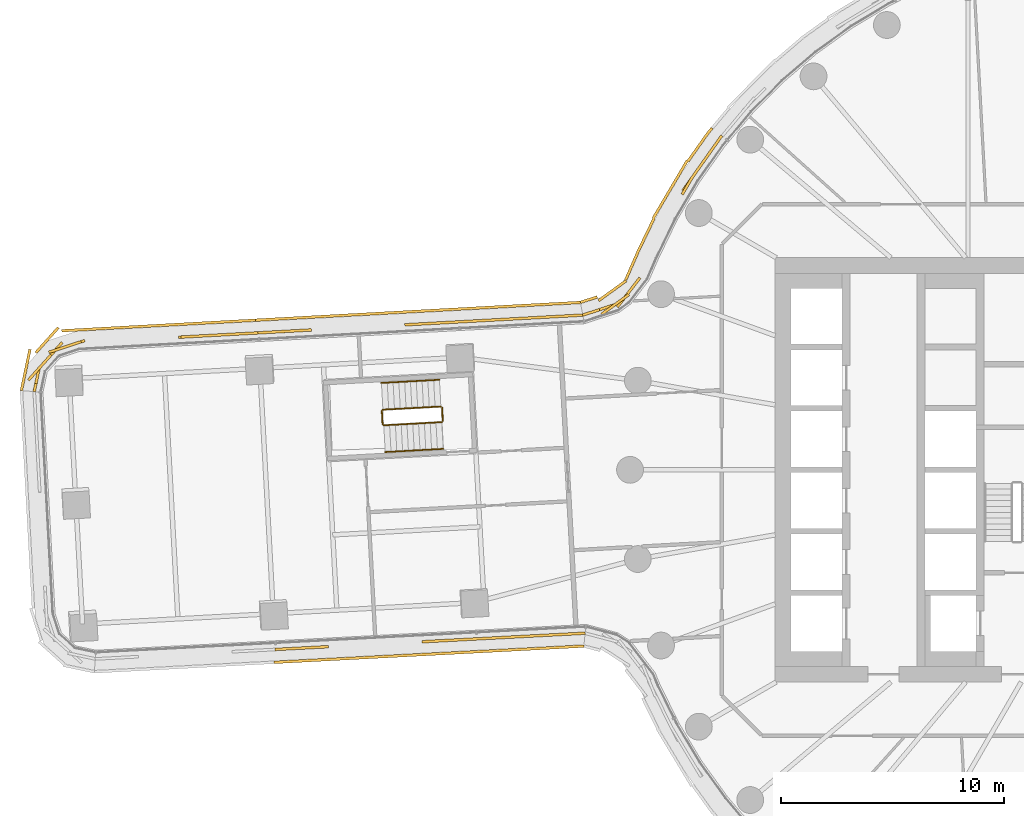
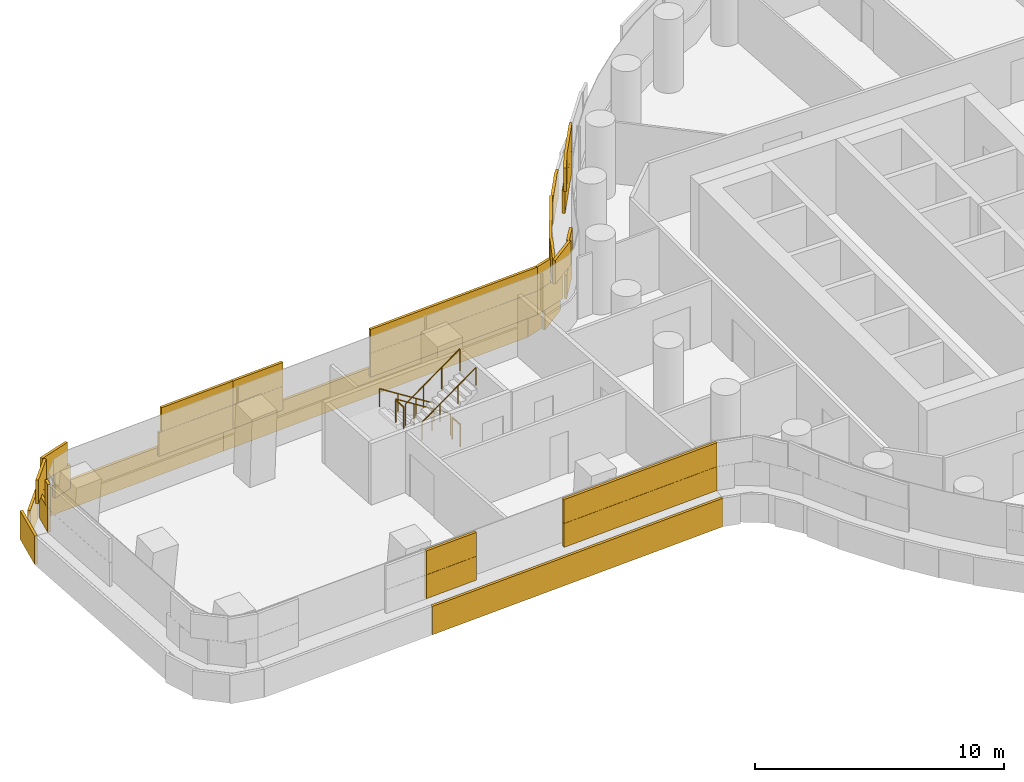
# One storey, part 27 of 31: 6 railings, 4 coverings.
"""IFC4 building model written with IfcOpenShell, lengths in metres."""

from ifc_helpers import new_model, si_unit, direction, frame, origin, origin_2d, place, context, subcontext, project, spatial, rectangle, circle, extrude, material, layer, layer_set, type_object, element, save


model = new_model("IFC4")

# Units and contexts
model_context = context("Model", 3, precision=1e-05, world=origin(), true_north=direction((0.0, 1.0)))
body_context = subcontext(model_context, "Body", "Model", "MODEL_VIEW")
ifc_project = project(units=[si_unit("LENGTHUNIT", "METRE"), si_unit("AREAUNIT", "SQUARE_METRE"), si_unit("VOLUMEUNIT", "CUBIC_METRE"), si_unit("PLANEANGLEUNIT", "RADIAN"), si_unit("MASSUNIT", "GRAM", prefix="KILO")], contexts=[model_context])

# Site, building, storey
site_placement = place(None, origin())
site = spatial("IfcSite", under=ifc_project, at=site_placement, CompositionType="ELEMENT")
building_placement = place(site_placement, origin())
building = spatial("IfcBuilding", under=site, at=building_placement, Name="Tamarind Cross Interchange Tower", CompositionType="ELEMENT")
storey_placement = place(building_placement, frame((0.0, 0.0, 45.25)))
storey = spatial("IfcBuildingStorey", under=building, at=storey_placement, Name="L09", CompositionType="ELEMENT", Elevation=45.25)

# Railings
ifc_material_1 = material(Name="Stair guard")
railing_type_1 = type_object("IfcRailingType", Name="Stair guard", PredefinedType="GUARDRAIL", material=ifc_material_1)
railing_1_placement = place(storey_placement, frame((-31.46923828125, 2.83642578125, 0.17041015625)))
element("IfcRailing", 1, at=railing_1_placement, inside=storey, type_object=railing_type_1, Name="L09 ST5 stair guard 1", PredefinedType="GUARDRAIL", context=body_context, shape_type="SweptSolid", body=[
    extrude(circle(Radius=0.02392578125, at=origin_2d()), frame((0.0, 0.0, 1.076171875), z_axis=(-0.83505048246, -0.045702405566, 0.548271813855), x_axis=(0.054648325775, -0.998505663725, 0.0)), (0.0, 0.0, 1.0), 3.109130859375),
    extrude(circle(Radius=0.02099609375, at=origin_2d()), origin(), (0.0, 0.0, 1.0), 1.052001953125),
    extrude(circle(Radius=0.02099609375, at=origin_2d()), frame((-0.865478515625, -0.04736328125, 0.568115234375)), (0.0, 0.0, 1.0), 1.052001953125),
    extrude(circle(Radius=0.02099609375, at=origin_2d()), frame((-1.730712890625, -0.0947265625, 1.136474609375)), (0.0, 0.0, 1.0), 1.052001953125),
    extrude(circle(Radius=0.02099609375, at=origin_2d()), frame((-2.59619140625, -0.14208984375, 1.70458984375)), (0.0, 0.0, 1.0), 1.052001953125),
])
railing_2_placement = place(storey_placement, frame((-34.112548828125, 2.6416015625, 1.875)))
element("IfcRailing", 2, at=railing_2_placement, inside=storey, type_object=railing_type_1, Name="L09 ST5 stair guard 2", PredefinedType="GUARDRAIL", context=body_context, shape_type="SweptSolid", body=[
    extrude(circle(Radius=0.02392578125, at=origin_2d()), frame((0.0, 0.0, 1.076171875), z_axis=(0.054523501764, -0.998512487531, 0.0), x_axis=(0.998512487531, 0.054523501764, 0.0)), (0.0, 0.0, 1.0), 0.60009765625),
    extrude(circle(Radius=0.02099609375, at=origin_2d()), origin(), (0.0, 0.0, 1.0), 1.052001953125),
    extrude(circle(Radius=0.02099609375, at=origin_2d()), frame((0.03271484375, -0.59912109375, 0.0)), (0.0, 0.0, 1.0), 1.052001953125),
])
railing_3_placement = place(storey_placement, frame((-34.027099609375, 1.995361328125, 2.04541015625)))
element("IfcRailing", 3, at=railing_3_placement, inside=storey, type_object=railing_type_1, Name="L09 ST5 stair guard 3", PredefinedType="GUARDRAIL", context=body_context, shape_type="SweptSolid", body=[
    extrude(circle(Radius=0.02392578125, at=origin_2d()), frame((0.0, 0.0, 1.076171875), z_axis=(0.83505048246, 0.045702405566, 0.548271813855), x_axis=(-0.054648325775, 0.998505663725, 0.0)), (0.0, 0.0, 1.0), 3.109130859375),
    extrude(circle(Radius=0.02099609375, at=origin_2d()), origin(), (0.0, 0.0, 1.0), 1.052001953125),
    extrude(circle(Radius=0.02099609375, at=origin_2d()), frame((0.865478515625, 0.04736328125, 0.568115234375)), (0.0, 0.0, 1.0), 1.052001953125),
    extrude(circle(Radius=0.02099609375, at=origin_2d()), frame((1.730712890625, 0.0947265625, 1.136474609375)), (0.0, 0.0, 1.0), 1.052001953125),
    extrude(circle(Radius=0.02099609375, at=origin_2d()), frame((2.59619140625, 0.14208984375, 1.70458984375)), (0.0, 0.0, 1.0), 1.052001953125),
])
railing_4_placement = place(storey_placement, frame((-31.41650390625, 2.789306640625, 0.0)))
element("IfcRailing", 4, at=railing_4_placement, inside=storey, type_object=railing_type_1, Name="L09 ST5 stair guard 4", PredefinedType="GUARDRAIL", context=body_context, shape_type="SweptSolid", body=[
    extrude(circle(Radius=0.02392578125, at=origin_2d()), frame((0.0, 0.0, 1.076171875), z_axis=(0.054523501764, -0.998512487531, 0.0), x_axis=(0.998512487531, 0.054523501764, 0.0)), (0.0, 0.0, 1.0), 0.60009765625),
    extrude(circle(Radius=0.02099609375, at=origin_2d()), origin(), (0.0, 0.0, 1.0), 1.052001953125),
    extrude(circle(Radius=0.02099609375, at=origin_2d()), frame((0.03271484375, -0.59912109375, 0.0)), (0.0, 0.0, 1.0), 1.052001953125),
])
ifc_material_2 = material(Name="Stair handrail")
railing_type_2 = type_object("IfcRailingType", Name="Stair handrail", PredefinedType="HANDRAIL", material=ifc_material_2)
railing_5_placement = place(storey_placement, frame((-31.534912109375, 4.03466796875, 0.17041015625)))
element("IfcRailing", 5, at=railing_5_placement, inside=storey, type_object=railing_type_2, Name="L09 ST5 stair handrail 1", PredefinedType="HANDRAIL", context=body_context, shape_type="SweptSolid", body=[
    extrude(circle(Radius=0.02392578125, at=origin_2d()), frame((0.0, 0.0, 0.8759765625), z_axis=(-0.83505048246, -0.045702405566, 0.548271813855), x_axis=(0.054648325775, -0.998505663725, 0.0)), (0.0, 0.0, 1.0), 3.109130859375),
    extrude(circle(Radius=0.02099609375, at=origin_2d()), origin(), (0.0, 0.0, 1.0), 0.851806640625),
    extrude(circle(Radius=0.02099609375, at=origin_2d()), frame((-0.865478515625, -0.04736328125, 0.568115234375)), (0.0, 0.0, 1.0), 0.851806640625),
    extrude(circle(Radius=0.02099609375, at=origin_2d()), frame((-1.730712890625, -0.0947265625, 1.136474609375)), (0.0, 0.0, 1.0), 0.851806640625),
    extrude(circle(Radius=0.02099609375, at=origin_2d()), frame((-2.59619140625, -0.14208984375, 1.70458984375)), (0.0, 0.0, 1.0), 0.851806640625),
])
railing_6_placement = place(storey_placement, frame((-33.96142578125, 0.797119140625, 2.04541015625)))
element("IfcRailing", 6, at=railing_6_placement, inside=storey, type_object=railing_type_2, Name="L09 ST5 stair handrail 2", PredefinedType="HANDRAIL", context=body_context, shape_type="SweptSolid", body=[
    extrude(circle(Radius=0.02392578125, at=origin_2d()), frame((0.0, 0.0, 0.8759765625), z_axis=(0.835026710891, 0.04570540259, 0.54830776784), x_axis=(-0.054653449926, 0.998505383266, 0.0)), (0.0, 0.0, 1.0), 3.10888671875),
    extrude(circle(Radius=0.02099609375, at=origin_2d()), origin(), (0.0, 0.0, 1.0), 0.851806640625),
    extrude(circle(Radius=0.02099609375, at=origin_2d()), frame((0.865234375, 0.04736328125, 0.568115234375)), (0.0, 0.0, 1.0), 0.851806640625),
    extrude(circle(Radius=0.02099609375, at=origin_2d()), frame((1.730712890625, 0.0947265625, 1.136474609375)), (0.0, 0.0, 1.0), 0.851806640625),
    extrude(circle(Radius=0.02099609375, at=origin_2d()), frame((2.595947265625, 0.14208984375, 1.70458984375)), (0.0, 0.0, 1.0), 0.851806640625),
])

# Coverings
ifc_material_3 = material(Name="Terracotta", Category="masonry")
ifc_layer = layer(ifc_material_3, 0.1201171875)
ifc_layer_set = layer_set([ifc_layer], Name="Terracotta")
covering_type = type_object("IfcCoveringType", Name="Terracotta baguette screen unit", PredefinedType="MOLDING", material=ifc_layer_set)
covering_1_placement = place(storey_placement, origin())
element("IfcCovering", 7, at=covering_1_placement, inside=storey, type_object=covering_type, Name="SCR-L09-01-01", PredefinedType="MOLDING", context=body_context, shape_type="SweptSolid", body=[
    extrude(rectangle(XDim=0.20556640625, YDim=0.1201171875, at=origin_2d()), frame((-38.80078125, -8.03857421875, 1.404052734375), z_axis=(0.0, 0.0, 1.0), x_axis=(0.998622085659, 0.052477900426, 0.0)), (0.0, 0.0, 1.0), 1.1669921875),
    extrude(rectangle(XDim=1.52001953125, YDim=0.1201171875, at=origin_2d()), frame((-37.9541015625, -7.994140625, 1.404052734375), z_axis=(0.0, 0.0, 1.0), x_axis=(0.998622085659, 0.052477900426, 0.0)), (0.0, 0.0, 1.0), 1.1669921875),
    extrude(rectangle(XDim=0.714111328125, YDim=0.1201171875, at=origin_2d()), frame((-36.853759765625, -7.936279296875, 1.404052734375), z_axis=(0.0, 0.0, 1.0), x_axis=(0.998622085659, 0.052477900426, 0.0)), (0.0, 0.0, 1.0), 1.1669921875),
    extrude(rectangle(XDim=1.10595703125, YDim=0.1201171875, at=origin_2d()), frame((-31.7607421875, -7.668701171875, 1.404052734375), z_axis=(0.0, 0.0, 1.0), x_axis=(0.998622085659, 0.052477900426, 0.0)), (0.0, 0.0, 1.0), 1.1669921875),
    extrude(rectangle(XDim=1.52001953125, YDim=0.1201171875, at=origin_2d()), frame((-30.464599609375, -7.6005859375, 1.404052734375), z_axis=(0.0, 0.0, 1.0), x_axis=(0.998622085659, 0.052477900426, 0.0)), (0.0, 0.0, 1.0), 1.1669921875),
    extrude(rectangle(XDim=1.52001953125, YDim=0.1201171875, at=origin_2d()), frame((-28.966552734375, -7.521728515625, 1.404052734375), z_axis=(0.0, 0.0, 1.0), x_axis=(0.998622085659, 0.052477900426, 0.0)), (0.0, 0.0, 1.0), 1.1669921875),
    extrude(rectangle(XDim=1.52001953125, YDim=0.1201171875, at=origin_2d()), frame((-27.46875, -7.443115234375, 1.404052734375), z_axis=(0.0, 0.0, 1.0), x_axis=(0.998622085659, 0.052477900426, 0.0)), (0.0, 0.0, 1.0), 1.1669921875),
    extrude(rectangle(XDim=1.52001953125, YDim=0.1201171875, at=origin_2d()), frame((-25.970703125, -7.3642578125, 1.404052734375), z_axis=(0.0, 0.0, 1.0), x_axis=(0.998622085659, 0.052477900426, 0.0)), (0.0, 0.0, 1.0), 1.1669921875),
    extrude(rectangle(XDim=0.221435546875, YDim=0.1201171875, at=origin_2d()), frame((-25.1162109375, -7.319580078125, 1.404052734375), z_axis=(0.0, 0.0, 1.0), x_axis=(0.998622085659, 0.052477900426, 0.0)), (0.0, 0.0, 1.0), 1.1669921875),
    extrude(rectangle(XDim=0.95556640625, YDim=0.1201171875, at=origin_2d()), frame((-38.42626953125, -8.018798828125, 2.5791015625), z_axis=(0.0, 0.0, 1.0), x_axis=(0.998622085659, 0.052477900426, 0.0)), (0.0, 0.0, 1.0), 1.1669921875),
    extrude(rectangle(XDim=1.464111328125, YDim=0.1201171875, at=origin_2d()), frame((-37.228271484375, -7.9560546875, 2.5791015625), z_axis=(0.0, 0.0, 1.0), x_axis=(0.998622085659, 0.052477900426, 0.0)), (0.0, 0.0, 1.0), 1.1669921875),
    extrude(rectangle(XDim=0.35595703125, YDim=0.1201171875, at=origin_2d()), frame((-32.13525390625, -7.688232421875, 2.5791015625), z_axis=(0.0, 0.0, 1.0), x_axis=(0.998622085659, 0.052477900426, 0.0)), (0.0, 0.0, 1.0), 1.1669921875),
    extrude(rectangle(XDim=1.52001953125, YDim=0.1201171875, at=origin_2d()), frame((-31.21337890625, -7.639892578125, 2.5791015625), z_axis=(0.0, 0.0, 1.0), x_axis=(0.998622085659, 0.052477900426, 0.0)), (0.0, 0.0, 1.0), 1.1669921875),
    extrude(rectangle(XDim=1.52001953125, YDim=0.1201171875, at=origin_2d()), frame((-29.715576171875, -7.561279296875, 2.5791015625), z_axis=(0.0, 0.0, 1.0), x_axis=(0.998622085659, 0.052477900426, 0.0)), (0.0, 0.0, 1.0), 1.1669921875),
    extrude(rectangle(XDim=1.52001953125, YDim=0.1201171875, at=origin_2d()), frame((-28.217529296875, -7.482421875, 2.5791015625), z_axis=(0.0, 0.0, 1.0), x_axis=(0.998622085659, 0.052477900426, 0.0)), (0.0, 0.0, 1.0), 1.1669921875),
    extrude(rectangle(XDim=1.52001953125, YDim=0.1201171875, at=origin_2d()), frame((-26.7197265625, -7.40380859375, 2.5791015625), z_axis=(0.0, 0.0, 1.0), x_axis=(0.998622085659, 0.052477900426, 0.0)), (0.0, 0.0, 1.0), 1.1669921875),
    extrude(rectangle(XDim=0.971435546875, YDim=0.1201171875, at=origin_2d()), frame((-25.49072265625, -7.339111328125, 2.5791015625), z_axis=(0.0, 0.0, 1.0), x_axis=(0.998622085659, 0.052477900426, 0.0)), (0.0, 0.0, 1.0), 1.1669921875),
    extrude(rectangle(XDim=0.2109375, YDim=0.1201171875, at=origin_2d()), frame((-38.84326171875, -8.61572265625, 0.00390625), z_axis=(0.0, 0.0, 1.0), x_axis=(0.998622085659, 0.052477900426, 0.0)), (0.0, 0.0, 1.0), 1.39208984375),
    extrude(rectangle(XDim=1.52001953125, YDim=0.1201171875, at=origin_2d()), frame((-37.998779296875, -8.5712890625, 0.00390625), z_axis=(0.0, 0.0, 1.0), x_axis=(0.998622085659, 0.052477900426, 0.0)), (0.0, 0.0, 1.0), 1.39208984375),
    extrude(rectangle(XDim=1.52001953125, YDim=0.1201171875, at=origin_2d()), frame((-36.5009765625, -8.492431640625, 0.00390625), z_axis=(0.0, 0.0, 1.0), x_axis=(0.998622085659, 0.052477900426, 0.0)), (0.0, 0.0, 1.0), 1.39208984375),
    extrude(rectangle(XDim=1.52001953125, YDim=0.1201171875, at=origin_2d()), frame((-35.0029296875, -8.413818359375, 0.00390625), z_axis=(0.0, 0.0, 1.0), x_axis=(0.998622085659, 0.052477900426, 0.0)), (0.0, 0.0, 1.0), 1.39208984375),
    extrude(rectangle(XDim=1.52001953125, YDim=0.1201171875, at=origin_2d()), frame((-33.505126953125, -8.335205078125, 0.00390625), z_axis=(0.0, 0.0, 1.0), x_axis=(0.998622085659, 0.052477900426, 0.0)), (0.0, 0.0, 1.0), 1.39208984375),
    extrude(rectangle(XDim=1.52001953125, YDim=0.1201171875, at=origin_2d()), frame((-32.007080078125, -8.25634765625, 0.00390625), z_axis=(0.0, 0.0, 1.0), x_axis=(0.998622085659, 0.052477900426, 0.0)), (0.0, 0.0, 1.0), 1.39208984375),
    extrude(rectangle(XDim=1.52001953125, YDim=0.1201171875, at=origin_2d()), frame((-30.50927734375, -8.177734375, 0.00390625), z_axis=(0.0, 0.0, 1.0), x_axis=(0.998622085659, 0.052477900426, 0.0)), (0.0, 0.0, 1.0), 1.39208984375),
    extrude(rectangle(XDim=1.52001953125, YDim=0.1201171875, at=origin_2d()), frame((-29.01123046875, -8.098876953125, 0.00390625), z_axis=(0.0, 0.0, 1.0), x_axis=(0.998622085659, 0.052477900426, 0.0)), (0.0, 0.0, 1.0), 1.39208984375),
    extrude(rectangle(XDim=1.52001953125, YDim=0.1201171875, at=origin_2d()), frame((-27.513427734375, -8.020263671875, 0.00390625), z_axis=(0.0, 0.0, 1.0), x_axis=(0.998622085659, 0.052477900426, 0.0)), (0.0, 0.0, 1.0), 1.39208984375),
    extrude(rectangle(XDim=1.52001953125, YDim=0.1201171875, at=origin_2d()), frame((-26.015380859375, -7.94140625, 0.00390625), z_axis=(0.0, 0.0, 1.0), x_axis=(0.998622085659, 0.052477900426, 0.0)), (0.0, 0.0, 1.0), 1.39208984375),
    extrude(rectangle(XDim=0.206298828125, YDim=0.1201171875, at=origin_2d()), frame((-25.17333984375, -7.897216796875, 0.00390625), z_axis=(0.0, 0.0, 1.0), x_axis=(0.998622085659, 0.052477900426, 0.0)), (0.0, 0.0, 1.0), 1.39208984375),
])
covering_2_placement = place(storey_placement, origin())
element("IfcCovering", 8, at=covering_2_placement, inside=storey, type_object=covering_type, Name="SCR-L09-14-01", PredefinedType="MOLDING", context=body_context, shape_type="SweptSolid", body=[
    extrude(rectangle(XDim=1.52001953125, YDim=0.1201171875, at=origin_2d()), frame((-19.330810546875, 14.34423828125, 1.404052734375), z_axis=(0.0, 0.0, 1.0), x_axis=(-0.577568978284, -0.816341886298, 0.0)), (0.0, 0.0, 1.0), 1.1669921875),
    extrude(rectangle(XDim=1.52001953125, YDim=0.1201171875, at=origin_2d()), frame((-20.197265625, 13.119873046875, 1.404052734375), z_axis=(0.0, 0.0, 1.0), x_axis=(-0.577568978284, -0.816341886298, 0.0)), (0.0, 0.0, 1.0), 1.1669921875),
    extrude(rectangle(XDim=1.52001953125, YDim=0.1201171875, at=origin_2d()), frame((-23.103515625, 7.893310546875, 1.404052734375), z_axis=(0.0, 0.0, 1.0), x_axis=(-0.611571810912, -0.791188928194, 0.0)), (0.0, 0.0, 1.0), 1.1669921875),
    extrude(rectangle(XDim=1.52001953125, YDim=0.1201171875, at=origin_2d()), frame((-24.3759765625, 7.17041015625, 1.404052734375), z_axis=(0.0, 0.0, 1.0), x_axis=(-0.950944770181, -0.309360702199, 0.0)), (0.0, 0.0, 1.0), 1.1669921875),
    extrude(rectangle(XDim=0.037109375, YDim=0.1201171875, at=origin_2d()), frame((-25.102294921875, 6.934326171875, 1.404052734375), z_axis=(0.0, 0.0, 1.0), x_axis=(-0.950944770181, -0.309360702199, 0.0)), (0.0, 0.0, 1.0), 1.1669921875),
    extrude(rectangle(XDim=0.76318359375, YDim=0.1201171875, at=origin_2d()), frame((-19.11328125, 14.65185546875, 2.5791015625), z_axis=(0.0, 0.0, 1.0), x_axis=(-0.577568978284, -0.816341886298, 0.0)), (0.0, 0.0, 1.0), 1.1669921875),
    extrude(rectangle(XDim=1.52001953125, YDim=0.1201171875, at=origin_2d()), frame((-19.76416015625, 13.732177734375, 2.5791015625), z_axis=(0.0, 0.0, 1.0), x_axis=(-0.577568978284, -0.816341886298, 0.0)), (0.0, 0.0, 1.0), 1.1669921875),
    extrude(rectangle(XDim=0.922119140625, YDim=0.1201171875, at=origin_2d()), frame((-20.431884765625, 12.72900390625, 2.5791015625), z_axis=(0.0, 0.0, 1.0), x_axis=(-0.508183308752, -0.861248933065, 0.0)), (0.0, 0.0, 1.0), 1.1669921875),
    extrude(rectangle(XDim=0.89794921875, YDim=0.1201171875, at=origin_2d()), frame((-22.83203125, 8.24462890625, 2.5791015625), z_axis=(0.0, 0.0, 1.0), x_axis=(-0.611571810912, -0.791188928194, 0.0)), (0.0, 0.0, 1.0), 1.1669921875),
    extrude(rectangle(XDim=1.52001953125, YDim=0.1201171875, at=origin_2d()), frame((-23.664306640625, 7.4052734375, 2.5791015625), z_axis=(0.0, 0.0, 1.0), x_axis=(-0.809946398508, -0.586503905821, 0.0)), (0.0, 0.0, 1.0), 1.1669921875),
    extrude(rectangle(XDim=0.787109375, YDim=0.1201171875, at=origin_2d()), frame((-24.74560546875, 7.05029296875, 2.5791015625), z_axis=(0.0, 0.0, 1.0), x_axis=(-0.950944770181, -0.309360702199, 0.0)), (0.0, 0.0, 1.0), 1.1669921875),
    extrude(rectangle(XDim=0.34326171875, YDim=0.1201171875, at=origin_2d()), frame((-19.436767578125, 15.1689453125, 0.00390625), z_axis=(0.0, 0.0, 1.0), x_axis=(-0.643009266048, -0.765858396687, 0.0)), (0.0, 0.0, 1.0), 1.39208984375),
    extrude(rectangle(XDim=1.52001953125, YDim=0.1201171875, at=origin_2d()), frame((-19.97216796875, 14.431640625, 0.00390625), z_axis=(0.0, 0.0, 1.0), x_axis=(-0.577568978284, -0.816341886298, 0.0)), (0.0, 0.0, 1.0), 1.39208984375),
    extrude(rectangle(XDim=1.52001953125, YDim=0.1201171875, at=origin_2d()), frame((-20.822265625, 13.196533203125, 0.00390625), z_axis=(0.0, 0.0, 1.0), x_axis=(-0.508183308752, -0.861248933065, 0.0)), (0.0, 0.0, 1.0), 1.39208984375),
    extrude(rectangle(XDim=1.52001953125, YDim=0.1201171875, at=origin_2d()), frame((-21.58447265625, 11.90478515625, 0.00390625), z_axis=(0.0, 0.0, 1.0), x_axis=(-0.508183308752, -0.861248933065, 0.0)), (0.0, 0.0, 1.0), 1.39208984375),
    extrude(rectangle(XDim=1.52001953125, YDim=0.1201171875, at=origin_2d()), frame((-22.259765625, 10.566162109375, 0.00390625), z_axis=(0.0, 0.0, 1.0), x_axis=(-0.435326231914, -0.900272776334, 0.0)), (0.0, 0.0, 1.0), 1.39208984375),
    extrude(rectangle(XDim=1.52001953125, YDim=0.1201171875, at=origin_2d()), frame((-22.8896484375, 9.205078125, 0.00390625), z_axis=(0.0, 0.0, 1.0), x_axis=(-0.40134633769, -0.915926371071, 0.0)), (0.0, 0.0, 1.0), 1.39208984375),
    extrude(rectangle(XDim=1.52001953125, YDim=0.1201171875, at=origin_2d()), frame((-23.789794921875, 8.023193359375, 0.00390625), z_axis=(0.0, 0.0, 1.0), x_axis=(-0.809946398508, -0.586503905821, 0.0)), (0.0, 0.0, 1.0), 1.39208984375),
    extrude(rectangle(XDim=0.7919921875, YDim=0.1201171875, at=origin_2d()), frame((-24.8447265625, 7.62158203125, 0.00390625), z_axis=(0.0, 0.0, 1.0), x_axis=(-0.950944770181, -0.309360702199, 0.0)), (0.0, 0.0, 1.0), 1.39208984375),
])
covering_3_placement = place(storey_placement, origin())
element("IfcCovering", 9, at=covering_3_placement, inside=storey, type_object=covering_type, Name="SCR-L09-15-00", PredefinedType="MOLDING", context=body_context, shape_type="SweptSolid", body=[
    extrude(rectangle(XDim=0.760009765625, YDim=0.1201171875, at=origin_2d()), frame((-25.489501953125, 6.909423828125, 1.404052734375), z_axis=(0.0, 0.0, 1.0), x_axis=(-0.998504021801, -0.054678317891, 0.0)), (0.0, 0.0, 1.0), 1.1669921875),
    extrude(rectangle(XDim=1.52001953125, YDim=0.1201171875, at=origin_2d()), frame((-26.61279296875, 6.847900390625, 1.404052734375), z_axis=(0.0, 0.0, 1.0), x_axis=(-0.998504021801, -0.054678317891, 0.0)), (0.0, 0.0, 1.0), 1.1669921875),
    extrude(rectangle(XDim=1.52001953125, YDim=0.1201171875, at=origin_2d()), frame((-28.110595703125, 6.76611328125, 1.404052734375), z_axis=(0.0, 0.0, 1.0), x_axis=(-0.998504021801, -0.054678317891, 0.0)), (0.0, 0.0, 1.0), 1.1669921875),
    extrude(rectangle(XDim=1.52001953125, YDim=0.1201171875, at=origin_2d()), frame((-29.6083984375, 6.68408203125, 1.404052734375), z_axis=(0.0, 0.0, 1.0), x_axis=(-0.998504021801, -0.054678317891, 0.0)), (0.0, 0.0, 1.0), 1.1669921875),
    extrude(rectangle(XDim=1.52001953125, YDim=0.1201171875, at=origin_2d()), frame((-31.106201171875, 6.60205078125, 1.404052734375), z_axis=(0.0, 0.0, 1.0), x_axis=(-0.998504021801, -0.054678317891, 0.0)), (0.0, 0.0, 1.0), 1.1669921875),
    extrude(rectangle(XDim=1.240234375, YDim=0.1201171875, at=origin_2d()), frame((-32.46923828125, 6.52734375, 1.404052734375), z_axis=(0.0, 0.0, 1.0), x_axis=(-0.998504021801, -0.054678317891, 0.0)), (0.0, 0.0, 1.0), 1.1669921875),
    extrude(rectangle(XDim=0.579833984375, YDim=0.1201171875, at=origin_2d()), frame((-37.5615234375, 6.24853515625, 1.404052734375), z_axis=(0.0, 0.0, 1.0), x_axis=(-0.998504021801, -0.054678317891, 0.0)), (0.0, 0.0, 1.0), 1.1669921875),
    extrude(rectangle(XDim=1.52001953125, YDim=0.1201171875, at=origin_2d()), frame((-38.594970703125, 6.19189453125, 1.404052734375), z_axis=(0.0, 0.0, 1.0), x_axis=(-0.998504021801, -0.054678317891, 0.0)), (0.0, 0.0, 1.0), 1.1669921875),
    extrude(rectangle(XDim=0.34033203125, YDim=0.1201171875, at=origin_2d()), frame((-39.5087890625, 6.141845703125, 1.404052734375), z_axis=(0.0, 0.0, 1.0), x_axis=(-0.998504021801, -0.054678317891, 0.0)), (0.0, 0.0, 1.0), 1.1669921875),
    extrude(rectangle(XDim=1.510009765625, YDim=0.1201171875, at=origin_2d()), frame((-25.864013671875, 6.888916015625, 2.5791015625), z_axis=(0.0, 0.0, 1.0), x_axis=(-0.998504021801, -0.054678317891, 0.0)), (0.0, 0.0, 1.0), 1.1669921875),
    extrude(rectangle(XDim=1.52001953125, YDim=0.1201171875, at=origin_2d()), frame((-27.36181640625, 6.80712890625, 2.5791015625), z_axis=(0.0, 0.0, 1.0), x_axis=(-0.998504021801, -0.054678317891, 0.0)), (0.0, 0.0, 1.0), 1.1669921875),
    extrude(rectangle(XDim=1.52001953125, YDim=0.1201171875, at=origin_2d()), frame((-28.859619140625, 6.72509765625, 2.5791015625), z_axis=(0.0, 0.0, 1.0), x_axis=(-0.998504021801, -0.054678317891, 0.0)), (0.0, 0.0, 1.0), 1.1669921875),
    extrude(rectangle(XDim=1.52001953125, YDim=0.1201171875, at=origin_2d()), frame((-30.357177734375, 6.64306640625, 2.5791015625), z_axis=(0.0, 0.0, 1.0), x_axis=(-0.998504021801, -0.054678317891, 0.0)), (0.0, 0.0, 1.0), 1.1669921875),
    extrude(rectangle(XDim=1.52001953125, YDim=0.1201171875, at=origin_2d()), frame((-31.85498046875, 6.56103515625, 2.5791015625), z_axis=(0.0, 0.0, 1.0), x_axis=(-0.998504021801, -0.054678317891, 0.0)), (0.0, 0.0, 1.0), 1.1669921875),
    extrude(rectangle(XDim=0.490234375, YDim=0.1201171875, at=origin_2d()), frame((-32.84375, 6.5068359375, 2.5791015625), z_axis=(0.0, 0.0, 1.0), x_axis=(-0.998504021801, -0.054678317891, 0.0)), (0.0, 0.0, 1.0), 1.1669921875),
    extrude(rectangle(XDim=1.329833984375, YDim=0.1201171875, at=origin_2d()), frame((-37.93603515625, 6.22802734375, 2.5791015625), z_axis=(0.0, 0.0, 1.0), x_axis=(-0.998504021801, -0.054678317891, 0.0)), (0.0, 0.0, 1.0), 1.1669921875),
    extrude(rectangle(XDim=1.09033203125, YDim=0.1201171875, at=origin_2d()), frame((-39.13427734375, 6.162353515625, 2.5791015625), z_axis=(0.0, 0.0, 1.0), x_axis=(-0.998504021801, -0.054678317891, 0.0)), (0.0, 0.0, 1.0), 1.1669921875),
    extrude(rectangle(XDim=0.760009765625, YDim=0.1201171875, at=origin_2d()), frame((-25.600830078125, 7.478271484375, 0.00390625), z_axis=(0.0, 0.0, 1.0), x_axis=(-0.998504021801, -0.054678317891, 0.0)), (0.0, 0.0, 1.0), 1.39208984375),
    extrude(rectangle(XDim=1.52001953125, YDim=0.1201171875, at=origin_2d()), frame((-26.71923828125, 7.4169921875, 0.00390625), z_axis=(0.0, 0.0, 1.0), x_axis=(-0.998504021801, -0.054678317891, 0.0)), (0.0, 0.0, 1.0), 1.39208984375),
    extrude(rectangle(XDim=1.52001953125, YDim=0.1201171875, at=origin_2d()), frame((-28.216796875, 7.3349609375, 0.00390625), z_axis=(0.0, 0.0, 1.0), x_axis=(-0.998504021801, -0.054678317891, 0.0)), (0.0, 0.0, 1.0), 1.39208984375),
    extrude(rectangle(XDim=1.52001953125, YDim=0.1201171875, at=origin_2d()), frame((-29.714599609375, 7.2529296875, 0.00390625), z_axis=(0.0, 0.0, 1.0), x_axis=(-0.998504021801, -0.054678317891, 0.0)), (0.0, 0.0, 1.0), 1.39208984375),
    extrude(rectangle(XDim=1.52001953125, YDim=0.1201171875, at=origin_2d()), frame((-31.21240234375, 7.1708984375, 0.00390625), z_axis=(0.0, 0.0, 1.0), x_axis=(-0.998504021801, -0.054678317891, 0.0)), (0.0, 0.0, 1.0), 1.39208984375),
    extrude(rectangle(XDim=1.52001953125, YDim=0.1201171875, at=origin_2d()), frame((-32.710205078125, 7.089111328125, 0.00390625), z_axis=(0.0, 0.0, 1.0), x_axis=(-0.998504021801, -0.054678317891, 0.0)), (0.0, 0.0, 1.0), 1.39208984375),
    extrude(rectangle(XDim=1.52001953125, YDim=0.1201171875, at=origin_2d()), frame((-34.2080078125, 7.007080078125, 0.00390625), z_axis=(0.0, 0.0, 1.0), x_axis=(-0.998504021801, -0.054678317891, 0.0)), (0.0, 0.0, 1.0), 1.39208984375),
    extrude(rectangle(XDim=1.52001953125, YDim=0.1201171875, at=origin_2d()), frame((-35.70556640625, 6.925048828125, 0.00390625), z_axis=(0.0, 0.0, 1.0), x_axis=(-0.998504021801, -0.054678317891, 0.0)), (0.0, 0.0, 1.0), 1.39208984375),
    extrude(rectangle(XDim=1.52001953125, YDim=0.1201171875, at=origin_2d()), frame((-37.203369140625, 6.843017578125, 0.00390625), z_axis=(0.0, 0.0, 1.0), x_axis=(-0.998504021801, -0.054678317891, 0.0)), (0.0, 0.0, 1.0), 1.39208984375),
    extrude(rectangle(XDim=1.52001953125, YDim=0.1201171875, at=origin_2d()), frame((-38.701171875, 6.760986328125, 0.00390625), z_axis=(0.0, 0.0, 1.0), x_axis=(-0.998504021801, -0.054678317891, 0.0)), (0.0, 0.0, 1.0), 1.39208984375),
    extrude(rectangle(XDim=0.340576171875, YDim=0.1201171875, at=origin_2d()), frame((-39.610107421875, 6.711181640625, 0.00390625), z_axis=(0.0, 0.0, 1.0), x_axis=(-0.998504021801, -0.054678317891, 0.0)), (0.0, 0.0, 1.0), 1.39208984375),
])
covering_4_placement = place(storey_placement, origin())
element("IfcCovering", 10, at=covering_4_placement, inside=storey, type_object=covering_type, Name="SCR-L09-15-01", PredefinedType="MOLDING", context=body_context, shape_type="SweptSolid", body=[
    extrude(rectangle(XDim=1.1796875, YDim=0.1201171875, at=origin_2d()), frame((-40.257568359375, 6.100830078125, 1.404052734375), z_axis=(0.0, 0.0, 1.0), x_axis=(-0.998504021801, -0.054678317891, 0.0)), (0.0, 0.0, 1.0), 1.1669921875),
    extrude(rectangle(XDim=1.52001953125, YDim=0.1201171875, at=origin_2d()), frame((-41.59033203125, 6.02783203125, 1.404052734375), z_axis=(0.0, 0.0, 1.0), x_axis=(-0.998504021801, -0.054678317891, 0.0)), (0.0, 0.0, 1.0), 1.1669921875),
    extrude(rectangle(XDim=0.881103515625, YDim=0.1201171875, at=origin_2d()), frame((-42.774169921875, 5.963134765625, 1.404052734375), z_axis=(0.0, 0.0, 1.0), x_axis=(-0.998504021801, -0.054678317891, 0.0)), (0.0, 0.0, 1.0), 1.1669921875),
    extrude(rectangle(XDim=0.93896484375, YDim=0.1201171875, at=origin_2d()), frame((-47.859375, 5.645751953125, 1.404052734375), z_axis=(0.0, 0.0, 1.0), x_axis=(-0.950329032287, -0.311247056843, 0.0)), (0.0, 0.0, 1.0), 1.1669921875),
    extrude(rectangle(XDim=1.52001953125, YDim=0.1201171875, at=origin_2d()), frame((-48.9306640625, 5.140625, 1.404052734375), z_axis=(0.0, 0.0, 1.0), x_axis=(-0.667385555493, -0.744712374222, 0.0)), (0.0, 0.0, 1.0), 1.1669921875),
    extrude(rectangle(XDim=1.121826171875, YDim=0.1201171875, at=origin_2d()), frame((-49.564208984375, 4.047607421875, 1.404052734375), z_axis=(0.0, 0.0, 1.0), x_axis=(-0.205616658064, -0.978632612335, 0.0)), (0.0, 0.0, 1.0), 1.1669921875),
    extrude(rectangle(XDim=0.4296875, YDim=0.1201171875, at=origin_2d()), frame((-39.883056640625, 6.121337890625, 2.5791015625), z_axis=(0.0, 0.0, 1.0), x_axis=(-0.998504021801, -0.054678317891, 0.0)), (0.0, 0.0, 1.0), 1.1669921875),
    extrude(rectangle(XDim=1.52001953125, YDim=0.1201171875, at=origin_2d()), frame((-40.841552734375, 6.06884765625, 2.5791015625), z_axis=(0.0, 0.0, 1.0), x_axis=(-0.998504021801, -0.054678317891, 0.0)), (0.0, 0.0, 1.0), 1.1669921875),
    extrude(rectangle(XDim=1.52001953125, YDim=0.1201171875, at=origin_2d()), frame((-42.33935546875, 5.98681640625, 2.5791015625), z_axis=(0.0, 0.0, 1.0), x_axis=(-0.998504021801, -0.054678317891, 0.0)), (0.0, 0.0, 1.0), 1.1669921875),
    extrude(rectangle(XDim=1.52001953125, YDim=0.1201171875, at=origin_2d()), frame((-48.30078125, 5.501220703125, 2.5791015625), z_axis=(0.0, 0.0, 1.0), x_axis=(-0.950329032287, -0.311247056843, 0.0)), (0.0, 0.0, 1.0), 1.1669921875),
    extrude(rectangle(XDim=1.52001953125, YDim=0.1201171875, at=origin_2d()), frame((-49.43115234375, 4.582275390625, 2.5791015625), z_axis=(0.0, 0.0, 1.0), x_axis=(-0.667385555493, -0.744712374222, 0.0)), (0.0, 0.0, 1.0), 1.1669921875),
    extrude(rectangle(XDim=0.371826171875, YDim=0.1201171875, at=origin_2d()), frame((-49.64111328125, 3.6806640625, 2.5791015625), z_axis=(0.0, 0.0, 1.0), x_axis=(-0.205616658064, -0.978632612335, 0.0)), (0.0, 0.0, 1.0), 1.1669921875),
    extrude(rectangle(XDim=1.179443359375, YDim=0.1201171875, at=origin_2d()), frame((-40.368896484375, 6.669677734375, 0.00390625), z_axis=(0.0, 0.0, 1.0), x_axis=(-0.998504021801, -0.054678317891, 0.0)), (0.0, 0.0, 1.0), 1.39208984375),
    extrude(rectangle(XDim=1.52001953125, YDim=0.1201171875, at=origin_2d()), frame((-41.69677734375, 6.596923828125, 0.00390625), z_axis=(0.0, 0.0, 1.0), x_axis=(-0.998504021801, -0.054678317891, 0.0)), (0.0, 0.0, 1.0), 1.39208984375),
    extrude(rectangle(XDim=1.52001953125, YDim=0.1201171875, at=origin_2d()), frame((-43.194580078125, 6.514892578125, 0.00390625), z_axis=(0.0, 0.0, 1.0), x_axis=(-0.998504021801, -0.054678317891, 0.0)), (0.0, 0.0, 1.0), 1.39208984375),
    extrude(rectangle(XDim=1.52001953125, YDim=0.1201171875, at=origin_2d()), frame((-44.692138671875, 6.432861328125, 0.00390625), z_axis=(0.0, 0.0, 1.0), x_axis=(-0.998504021801, -0.054678317891, 0.0)), (0.0, 0.0, 1.0), 1.39208984375),
    extrude(rectangle(XDim=1.52001953125, YDim=0.1201171875, at=origin_2d()), frame((-46.18994140625, 6.350830078125, 0.00390625), z_axis=(0.0, 0.0, 1.0), x_axis=(-0.998504021801, -0.054678317891, 0.0)), (0.0, 0.0, 1.0), 1.39208984375),
    extrude(rectangle(XDim=1.52001953125, YDim=0.1201171875, at=origin_2d()), frame((-47.687744140625, 6.268798828125, 0.00390625), z_axis=(0.0, 0.0, 1.0), x_axis=(-0.998504021801, -0.054678317891, 0.0)), (0.0, 0.0, 1.0), 1.39208984375),
    extrude(rectangle(XDim=1.52001953125, YDim=0.1201171875, at=origin_2d()), frame((-49.10205078125, 5.8095703125, 0.00390625), z_axis=(0.0, 0.0, 1.0), x_axis=(-0.667385555493, -0.744712374222, 0.0)), (0.0, 0.0, 1.0), 1.39208984375),
    extrude(rectangle(XDim=1.52001953125, YDim=0.1201171875, at=origin_2d()), frame((-50.023681640625, 4.65234375, 0.00390625), z_axis=(0.0, 0.0, 1.0), x_axis=(-0.205616658064, -0.978632612335, 0.0)), (0.0, 0.0, 1.0), 1.39208984375),
    extrude(rectangle(XDim=0.388671875, YDim=0.1201171875, at=origin_2d()), frame((-50.2158203125, 3.738037109375, 0.00390625), z_axis=(0.0, 0.0, 1.0), x_axis=(-0.205616658064, -0.978632612335, 0.0)), (0.0, 0.0, 1.0), 1.39208984375),
])

save(model, "model.ifc")
